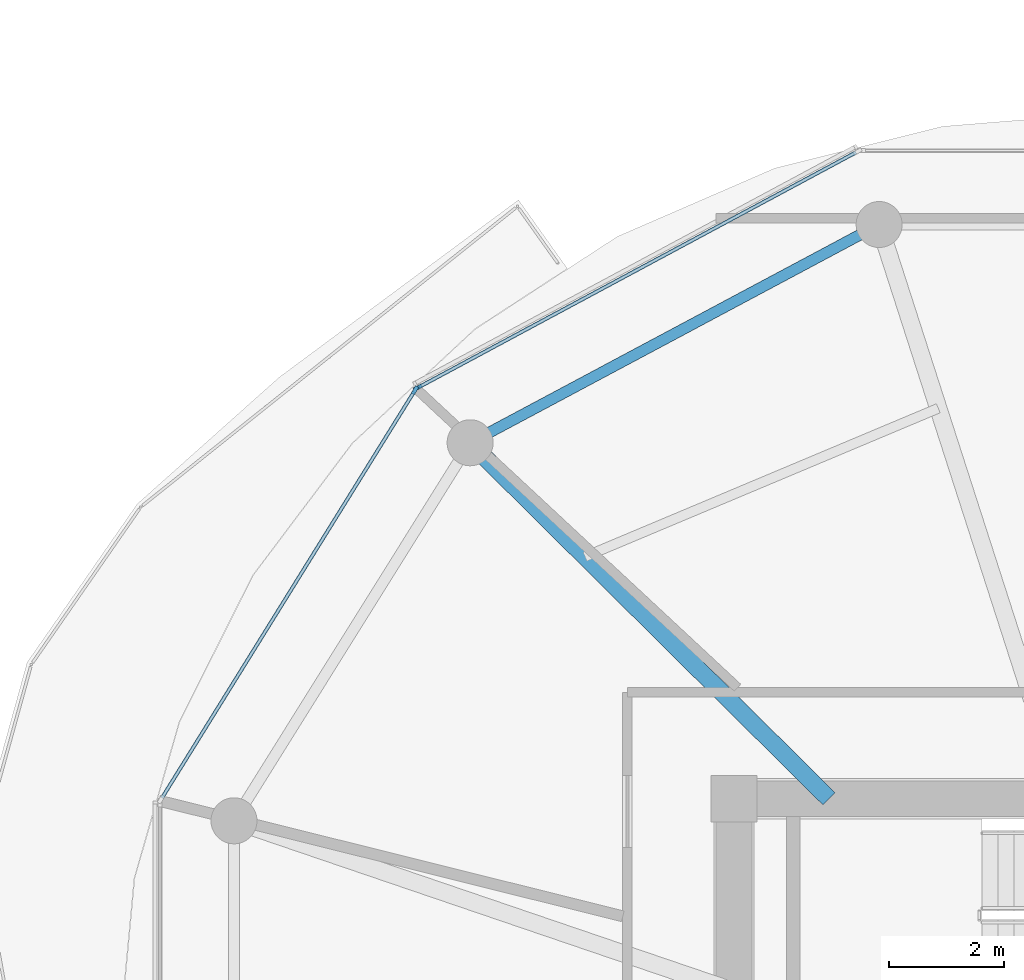
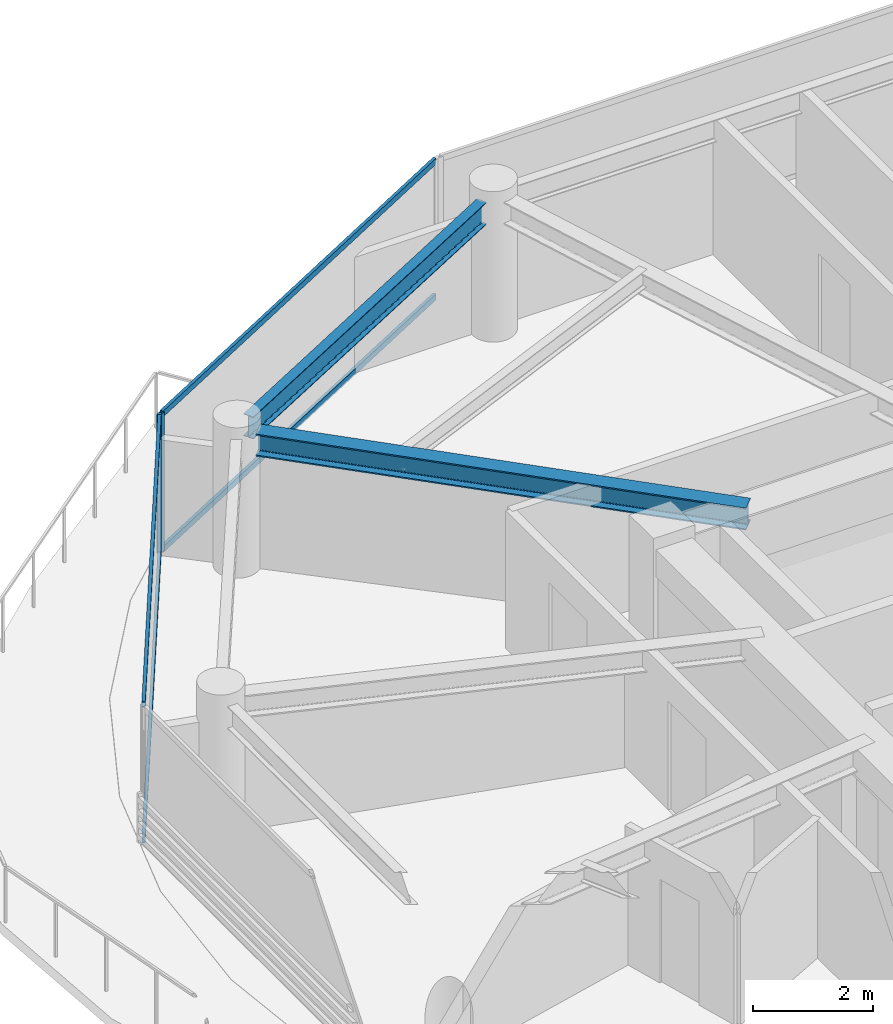
# One storey, part 8 of 21: 6 members, 2 beams, 2 elements without a shape of their own.
"""IFC4 building model written with IfcOpenShell, lengths in metres."""

from ifc_helpers import new_model, si_unit, direction, frame, origin, origin_2d, place, context, subcontext, project, spatial, rectangle, i_section, extrude, source, transform, mapped, material, layer, layer_set, material_profile, profile_set, type_object, type_shapes, element, aggregate, save


model = new_model("IFC4")

# Units and contexts
model_context = context("Model", 3, precision=1e-05, world=origin(), true_north=direction((0.0, 1.0)))
body_context = subcontext(model_context, "Body", "Model", "MODEL_VIEW")
ifc_project = project(units=[si_unit("LENGTHUNIT", "METRE"), si_unit("AREAUNIT", "SQUARE_METRE"), si_unit("VOLUMEUNIT", "CUBIC_METRE"), si_unit("PLANEANGLEUNIT", "RADIAN"), si_unit("MASSUNIT", "GRAM", prefix="KILO")], contexts=[model_context])

# Site, building, storey
site_placement = place(None, origin())
site = spatial("IfcSite", under=ifc_project, at=site_placement, CompositionType="ELEMENT")
building_placement = place(site_placement, origin())
building = spatial("IfcBuilding", under=site, at=building_placement, Name="Norrkilde Senior Care Towers", CompositionType="ELEMENT")
storey_placement = place(building_placement, frame((0.0, 0.0, 140.39990234375)))
storey = spatial("IfcBuildingStorey", under=building, at=storey_placement, Name="L43", CompositionType="ELEMENT", Elevation=140.39990234375)

# Beams
ifc_material_1 = material(Name="Steel S355", Category="steel")
ifc_material_profile_1 = material_profile(ifc_material_1, i_section(OverallWidth=0.18994140625, OverallDepth=0.449951171875, WebThickness=0.009521484375, FlangeThickness=0.0146484375, FilletRadius=0.02099609375, at=origin_2d()), Name="IPE 450")
ifc_profile_set_1 = profile_set([ifc_material_profile_1], Name="Steel S355")
beam_type_1 = type_object("IfcBeamType", Name="Perimeter Ring Spandrel Z3 IPE450", PredefinedType="SPANDREL", material=ifc_profile_set_1)
shared_shape_1 = source(origin(), body_context, "Body", "SweptSolid", [
    extrude(i_section(OverallWidth=0.18994140625, OverallDepth=0.449951171875, WebThickness=0.009521484375, FlangeThickness=0.0146484375, FilletRadius=0.02099609375, at=origin_2d()), origin(), (0.0, 0.0, 1.0), 7.333740234375),
])
type_shapes(beam_type_1, [shared_shape_1])
beam_1_placement = place(storey_placement, frame((22.55517578125, 15.756591796875, 2.585205078125), z_axis=(-0.882247866069, -0.470785198172, 0.0), x_axis=(0.470785198172, -0.882247866069, 0.0)))
element("IfcBeam", 1, at=beam_1_placement, inside=storey, type_object=beam_type_1, Name="L43 Drum E Perimeter Spandrel 04", PredefinedType="SPANDREL", context=body_context, shape_type="MappedRepresentation", body=[
    mapped(shared_shape_1, transform((0.0, 0.0, 0.0), x_axis=(1.0, 0.0, 0.0), y_axis=(0.0, 1.0, 0.0), z_axis=(0.0, 0.0, 1.0), scale=1.0)),
])
ifc_material_profile_2 = material_profile(ifc_material_1, i_section(OverallWidth=0.300048828125, OverallDepth=0.449951171875, WebThickness=0.013916015625, FlangeThickness=0.02587890625, FilletRadius=0.027099609375, at=origin_2d()), Name="HEB 450")
ifc_profile_set_2 = profile_set([ifc_material_profile_2], Name="Steel S355")
beam_type_2 = type_object("IfcBeamType", Name="Radial Floor Beam Z3 HEB450", PredefinedType="BEAM", material=ifc_profile_set_2)
shared_shape_2 = source(origin(), body_context, "Body", "SweptSolid", [
    extrude(i_section(OverallWidth=0.300048828125, OverallDepth=0.449951171875, WebThickness=0.013916015625, FlangeThickness=0.02587890625, FilletRadius=0.027099609375, at=origin_2d()), origin(), (0.0, 0.0, 1.0), 8.421630859375),
])
type_shapes(beam_type_2, [shared_shape_2])
beam_2_placement = place(storey_placement, frame((22.001953125, 5.949951171875, 2.585205078125), z_axis=(-0.709956495972, 0.704245535184, 0.0), x_axis=(-0.704245535184, -0.709956495972, 0.0)))
element("IfcBeam", 2, at=beam_2_placement, inside=storey, type_object=beam_type_2, Name="L43 Drum E Radial Floor Beam 05", PredefinedType="BEAM", context=body_context, shape_type="MappedRepresentation", body=[
    mapped(shared_shape_2, transform((0.0, 0.0, 0.0), x_axis=(1.0, 0.0, 0.0), y_axis=(0.0, 1.0, 0.0), z_axis=(0.0, 0.0, 1.0), scale=1.0)),
])

# Curtain wall, member
ifc_material_2 = material(Name="Triple Low-E Insulated Glazing", Category="glass")
ifc_layer = layer(ifc_material_2, 0.18994140625)
ifc_layer_set = layer_set([ifc_layer], Name="Triple Low-E Insulated Glazing")
curtain_wall_type = type_object("IfcCurtainWallType", Name="CW4 Zone 3 Senior Residence Curtain Wall", PredefinedType="NOTDEFINED", material=ifc_layer_set)
curtain_wall_1_placement = place(storey_placement, origin())
curtain_wall_1 = element("IfcCurtainWall", 3, at=curtain_wall_1_placement, inside=storey, type_object=curtain_wall_type, Name="L43 Drum E Curtain Wall 03", PredefinedType="NOTDEFINED")
ifc_material_3 = material(Name="Anodised Aluminium", Category="aluminium")
ifc_material_profile_3 = material_profile(ifc_material_3, rectangle(XDim=0.06494140625, YDim=0.14990234375, at=origin_2d()), Name="ALU MULL 65x150")
ifc_profile_set_3 = profile_set([ifc_material_profile_3], Name="Anodised Aluminium")
member_type_1 = type_object("IfcMemberType", Name="Curtain Wall Mullion Z3-Z4 65x150", PredefinedType="MULLION", material=ifc_profile_set_3)
shared_shape_3 = source(origin(), body_context, "Body", "SweptSolid", [
    extrude(rectangle(XDim=0.06494140625, YDim=0.14990234375, at=origin_2d()), origin(), (0.0, 0.0, 1.0), 2.81005859375),
])
type_shapes(member_type_1, [shared_shape_3])
member_1_placement = place(storey_placement, frame((14.85546875, 13.09033203125, 0.0), z_axis=(0.0, 0.0, 1.0), x_axis=(-0.47311715104, 0.880999524059, 0.0)))
member_1 = element("IfcMember", 4, at=member_1_placement, type_object=member_type_1, Name="CW-4 mullion 1", PredefinedType="MULLION", context=body_context, shape_type="MappedRepresentation", body=[
    mapped(shared_shape_3, transform((0.0, 0.0, 0.0), x_axis=(1.0, 0.0, 0.0), y_axis=(0.0, 1.0, 0.0), z_axis=(0.0, 0.0, 1.0), scale=1.0)),
])

# Curtain wall, members
curtain_wall_2_placement = place(storey_placement, origin())
curtain_wall_2 = element("IfcCurtainWall", 5, at=curtain_wall_2_placement, inside=storey, type_object=curtain_wall_type, Name="L43 Drum E Curtain Wall 04", PredefinedType="NOTDEFINED")
member_2_placement = place(storey_placement, frame((14.809814453125, 13.04736328125, 0.0), z_axis=(0.0, 0.0, 1.0), x_axis=(-0.84963405474, 0.52737270789, 0.0)))
member_2 = element("IfcMember", 6, at=member_2_placement, type_object=member_type_1, Name="CW-4 mullion 2", PredefinedType="MULLION", context=body_context, shape_type="MappedRepresentation", body=[
    mapped(shared_shape_3, transform((0.0, 0.0, 0.0), x_axis=(1.0, 0.0, 0.0), y_axis=(0.0, 1.0, 0.0), z_axis=(0.0, 0.0, 1.0), scale=1.0)),
])
ifc_material_profile_4 = material_profile(ifc_material_3, rectangle(XDim=0.06005859375, YDim=0.1201171875, at=origin_2d()), Name="ALU TRAN 60x120")
ifc_profile_set_4 = profile_set([ifc_material_profile_4], Name="Anodised Aluminium")
member_type_2 = type_object("IfcMemberType", Name="Curtain Wall Transom Typical 60x120", PredefinedType="USERDEFINED", material=ifc_profile_set_4)
shared_shape_4 = source(origin(), body_context, "Body", "SweptSolid", [
    extrude(rectangle(XDim=0.06005859375, YDim=0.1201171875, at=origin_2d()), origin(), (0.0, 0.0, 1.0), 8.301513671875),
])
member_3_placement = place(storey_placement, frame((10.414794921875, 5.966552734375, 0.030029296875), z_axis=(0.527368718394, 0.849636531029, 0.0), x_axis=(-0.849636531029, 0.527368718394, 0.0)))
member_3 = element("IfcMember", 7, at=member_3_placement, type_object=member_type_2, Name="CW-4 transom 1.1", ObjectType="TRANSOM", PredefinedType="USERDEFINED", context=body_context, shape_type="MappedRepresentation", body=[
    mapped(shared_shape_4, transform((0.0, 0.0, 0.0), x_axis=(1.0, 0.0, 0.0), y_axis=(0.0, 1.0, 0.0), z_axis=(0.0, 0.0, 1.0), scale=1.0)),
])
member_4_placement = place(storey_placement, frame((10.414794921875, 5.966552734375, 2.780029296875), z_axis=(0.527368718394, 0.849636531029, 0.0), x_axis=(-0.849636531029, 0.527368718394, 0.0)))
member_4 = element("IfcMember", 8, at=member_4_placement, type_object=member_type_2, Name="CW-4 transom 1.2", ObjectType="TRANSOM", PredefinedType="USERDEFINED", context=body_context, shape_type="MappedRepresentation", body=[
    mapped(shared_shape_4, transform((0.0, 0.0, 0.0), x_axis=(1.0, 0.0, 0.0), y_axis=(0.0, 1.0, 0.0), z_axis=(0.0, 0.0, 1.0), scale=1.0)),
])
aggregate(curtain_wall_2, [member_2, member_3, member_4])

# Member
shared_shape_5 = source(origin(), body_context, "Body", "SweptSolid", [
    extrude(rectangle(XDim=0.06005859375, YDim=0.1201171875, at=origin_2d()), origin(), (0.0, 0.0, 1.0), 8.61181640625),
])
type_shapes(member_type_2, [shared_shape_4, shared_shape_5])
member_5_placement = place(storey_placement, frame((14.88427734375, 13.105712890625, 0.030029296875), z_axis=(0.880993991641, 0.473127452906, 0.0), x_axis=(-0.473127452906, 0.880993991641, 0.0)))
member_5 = element("IfcMember", 9, at=member_5_placement, type_object=member_type_2, Name="CW-4 transom 1.1", ObjectType="TRANSOM", PredefinedType="USERDEFINED", context=body_context, shape_type="MappedRepresentation", body=[
    mapped(shared_shape_5, transform((0.0, 0.0, 0.0), x_axis=(1.0, 0.0, 0.0), y_axis=(0.0, 1.0, 0.0), z_axis=(0.0, 0.0, 1.0), scale=1.0)),
])

member_6_placement = place(storey_placement, frame((14.88427734375, 13.105712890625, 2.780029296875), z_axis=(0.880993991641, 0.473127452906, 0.0), x_axis=(-0.473127452906, 0.880993991641, 0.0)))
member_6 = element("IfcMember", 10, at=member_6_placement, type_object=member_type_2, Name="CW-4 transom 1.2", ObjectType="TRANSOM", PredefinedType="USERDEFINED", context=body_context, shape_type="MappedRepresentation", body=[
    mapped(shared_shape_5, transform((0.0, 0.0, 0.0), x_axis=(1.0, 0.0, 0.0), y_axis=(0.0, 1.0, 0.0), z_axis=(0.0, 0.0, 1.0), scale=1.0)),
])

aggregate(curtain_wall_1, [member_1, member_5, member_6])

save(model, "model.ifc")
